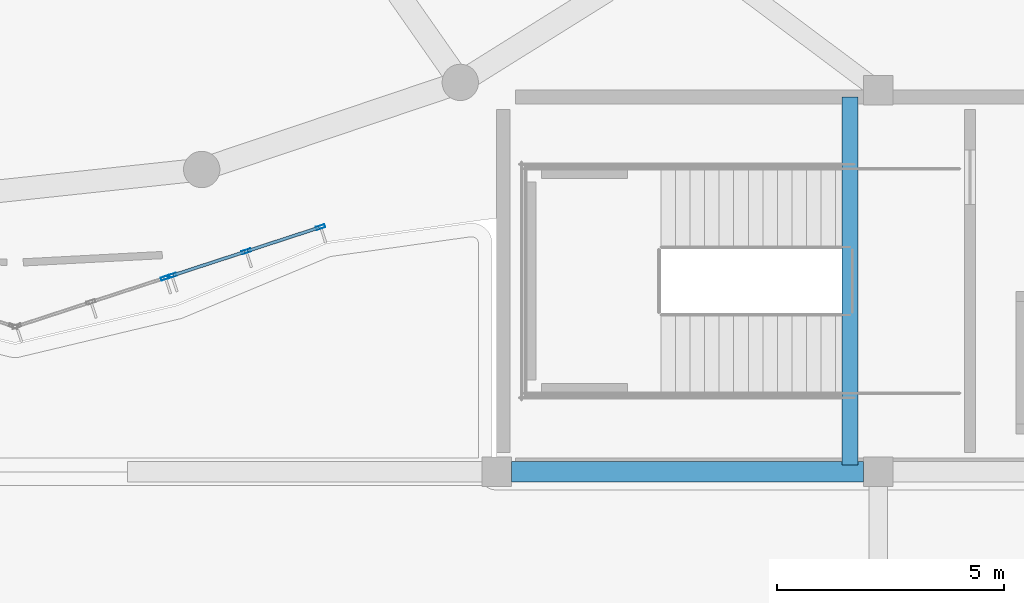
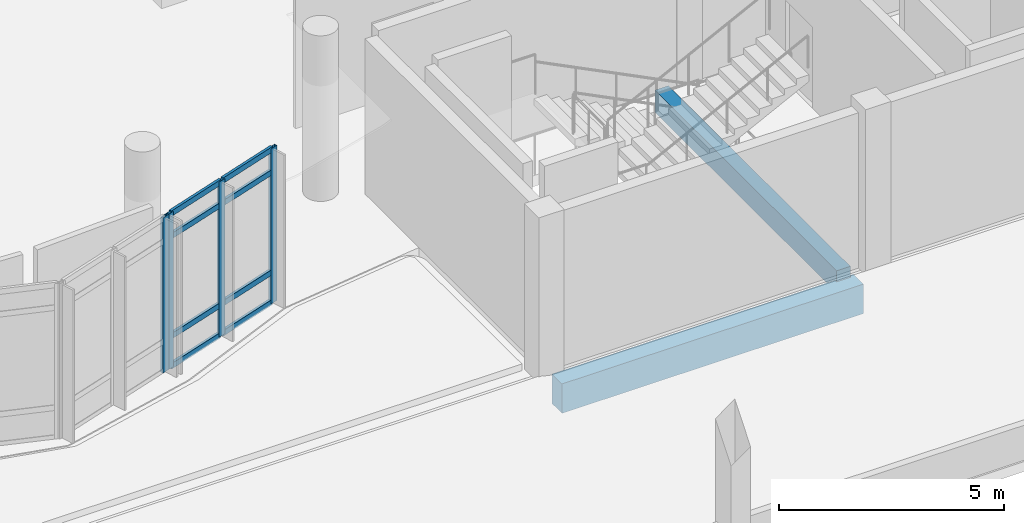
# One storey, part 6 of 46: 12 members, 2 beams, 2 elements without a shape of their own.
"""IFC4 building model written with IfcOpenShell, lengths in metres."""

from ifc_helpers import new_model, si_unit, derived_unit, direction, frame, origin, origin_2d, place, context, subcontext, project, spatial, rectangle, hollow_rectangle, extrude, material, layer, layer_set, material_profile, profile_set, type_object, element, aggregate, save


model = new_model("IFC4")

# Units and contexts
model_context = context("Model", 3, precision=1e-05, world=origin(), true_north=direction((0.0, 1.0)))
body_context = subcontext(model_context, "Body", "Model", "MODEL_VIEW")
ifc_project = project(units=[si_unit("LENGTHUNIT", "METRE"), si_unit("AREAUNIT", "SQUARE_METRE"), si_unit("VOLUMEUNIT", "CUBIC_METRE"), si_unit("PLANEANGLEUNIT", "RADIAN"), si_unit("MASSUNIT", "GRAM", prefix="KILO"), derived_unit("THERMALTRANSMITTANCEUNIT", [(si_unit("POWERUNIT", "WATT"), 1), (si_unit("LENGTHUNIT", "METRE"), -2), (si_unit("THERMODYNAMICTEMPERATUREUNIT", "KELVIN"), -1)])], contexts=[model_context])

# Site, building, storey
site_placement = place(None, origin())
site = spatial("IfcSite", under=ifc_project, at=site_placement, CompositionType="ELEMENT")
building_placement = place(site_placement, origin())
building = spatial("IfcBuilding", under=site, at=building_placement, Name="Elbkamm Science Centre", CompositionType="ELEMENT")
storey_placement = place(building_placement, frame((0.0, 0.0, 9.89990234375)))
storey = spatial("IfcBuildingStorey", under=building, at=storey_placement, Name="L02", CompositionType="ELEMENT", Elevation=9.89990234375)

# Beams
ifc_material_1 = material(Name="Concrete C40/50", Category="concrete")
ifc_material_profile_1 = material_profile(ifc_material_1, rectangle(XDim=0.35009765625, YDim=0.60009765625, at=origin_2d()), Name="RC 350x600")
ifc_profile_set_1 = profile_set([ifc_material_profile_1], Name="Concrete C40/50")
beam_type_1 = type_object("IfcBeamType", Name="BM-RC-350x600", PredefinedType="BEAM", material=ifc_profile_set_1)
beam_1_placement = place(storey_placement, frame((83.3798828125, 42.14990234375, -0.2998046875), z_axis=(0.0, 1.0, 0.0), x_axis=(-1.0, 0.0, 0.0)))
element("IfcBeam", 1, at=beam_1_placement, inside=storey, type_object=beam_type_1, Name="L02 ST-C2 Landing Trimmer Beam", PredefinedType="BEAM", context=body_context, shape_type="SweptSolid", body=[
    extrude(rectangle(XDim=0.35009765625, YDim=0.60009765625, at=origin_2d()), origin(), (0.0, 0.0, 1.0), 8.10009765625),
])
ifc_material_profile_2 = material_profile(ifc_material_1, rectangle(XDim=0.449951171875, YDim=0.800048828125, at=origin_2d()), Name="RC 450x800")
ifc_profile_set_2 = profile_set([ifc_material_profile_2], Name="Concrete C40/50")
beam_type_2 = type_object("IfcBeamType", Name="BM-RC-450x800", PredefinedType="BEAM", material=ifc_profile_set_2)
beam_2_placement = place(storey_placement, frame((75.925048828125, 42.0, -0.699951171875), z_axis=(1.0, 0.0, 0.0), x_axis=(0.0, 1.0, 0.0)))
element("IfcBeam", 2, at=beam_2_placement, inside=storey, type_object=beam_type_2, Name="L02 Primary X-Girder 011", PredefinedType="BEAM", context=body_context, shape_type="SweptSolid", body=[
    extrude(rectangle(XDim=0.449951171875, YDim=0.800048828125, at=origin_2d()), origin(), (0.0, 0.0, 1.0), 7.75),
])

# Curtain wall, member
ifc_material_2 = material(Name="Powder-coated aluminium and triple low-E glazing", Category="aluminium")
ifc_layer = layer(ifc_material_2, 0.159912109375)
ifc_layer_set = layer_set([ifc_layer], Name="Powder-coated aluminium and triple low-E glazing")
curtain_wall_type = type_object("IfcCurtainWallType", Name="CW-UNIT-3520x4220", PredefinedType="USERDEFINED", material=ifc_layer_set)
curtain_wall_1_placement = place(storey_placement, origin())
curtain_wall_1 = element("IfcCurtainWall", 3, at=curtain_wall_1_placement, inside=storey, type_object=curtain_wall_type, Name="L02 Unitised Curtain Wall 042", ObjectType="UNITISED CURTAIN WALL", PredefinedType="USERDEFINED")
ifc_material_3 = material(Name="Powder-coated aluminium EN AW-6060", Category="aluminium")
ifc_material_profile_3 = material_profile(ifc_material_3, hollow_rectangle(XDim=0.070068359375, YDim=0.199951171875, WallThickness=0.00439453125, at=origin_2d()), Name="ALU M70x200")
ifc_profile_set_3 = profile_set([ifc_material_profile_3], Name="Powder-coated aluminium EN AW-6060")
member_type_1 = type_object("IfcMemberType", Name="CW-MUL-70x200", PredefinedType="MULLION", material=ifc_profile_set_3)
member_1_placement = place(storey_placement, frame((68.308349609375, 46.27001953125, 0.0), z_axis=(0.0, 0.0, 1.0), x_axis=(-0.31036715573, 0.950616762236, 0.0)))
member_1 = element("IfcMember", 4, at=member_1_placement, type_object=member_type_1, Name="CW-018 mullion 3", PredefinedType="MULLION", context=body_context, shape_type="SweptSolid", body=[
    extrude(hollow_rectangle(XDim=0.070068359375, YDim=0.199951171875, WallThickness=0.00439453125, at=origin_2d()), origin(), (0.0, 0.0, 1.0), 4.22021484375),
])
aggregate(curtain_wall_1, [member_1])

# Curtain wall, members
curtain_wall_2_placement = place(storey_placement, origin())
curtain_wall_2 = element("IfcCurtainWall", 5, at=curtain_wall_2_placement, inside=storey, type_object=curtain_wall_type, Name="L02 Unitised Curtain Wall 043", ObjectType="UNITISED CURTAIN WALL", PredefinedType="USERDEFINED")
member_2_placement = place(storey_placement, frame((68.450927734375, 46.316650390625, 0.0), z_axis=(0.0, 0.0, 1.0), x_axis=(-0.31036715573, 0.950616762236, 0.0)))
member_2 = element("IfcMember", 6, at=member_2_placement, type_object=member_type_1, Name="CW-018 mullion 1", PredefinedType="MULLION", context=body_context, shape_type="SweptSolid", body=[
    extrude(hollow_rectangle(XDim=0.070068359375, YDim=0.199951171875, WallThickness=0.00439453125, at=origin_2d()), origin(), (0.0, 0.0, 1.0), 4.22021484375),
])
member_3_placement = place(storey_placement, frame((70.08837890625, 46.851318359375, 0.0), z_axis=(0.0, 0.0, 1.0), x_axis=(-0.31036715573, 0.950616762236, 0.0)))
member_3 = element("IfcMember", 7, at=member_3_placement, type_object=member_type_1, Name="CW-018 mullion 2", PredefinedType="MULLION", context=body_context, shape_type="SweptSolid", body=[
    extrude(hollow_rectangle(XDim=0.070068359375, YDim=0.199951171875, WallThickness=0.00439453125, at=origin_2d()), origin(), (0.0, 0.0, 1.0), 4.22021484375),
])
member_4_placement = place(storey_placement, frame((71.72607421875, 47.385986328125, 0.0), z_axis=(0.0, 0.0, 1.0), x_axis=(-0.31036715573, 0.950616762236, 0.0)))
member_4 = element("IfcMember", 8, at=member_4_placement, type_object=member_type_1, Name="CW-018 mullion 3", PredefinedType="MULLION", context=body_context, shape_type="SweptSolid", body=[
    extrude(hollow_rectangle(XDim=0.070068359375, YDim=0.199951171875, WallThickness=0.00439453125, at=origin_2d()), origin(), (0.0, 0.0, 1.0), 4.22021484375),
])
ifc_material_profile_4 = material_profile(ifc_material_3, hollow_rectangle(XDim=0.070068359375, YDim=0.14990234375, WallThickness=0.00390625, at=origin_2d()), Name="ALU T70x150")
ifc_profile_set_4 = profile_set([ifc_material_profile_4], Name="Powder-coated aluminium EN AW-6060")
member_type_2 = type_object("IfcMemberType", Name="CW-TRN-70x150", PredefinedType="USERDEFINED", material=ifc_profile_set_4)
member_5_placement = place(storey_placement, frame((68.484130859375, 46.32763671875, 0.03515625), z_axis=(0.950658819638, 0.310238309439, 0.0), x_axis=(-0.310238309439, 0.950658819638, 0.0)))
member_5 = element("IfcMember", 9, at=member_5_placement, type_object=member_type_2, Name="CW-018 transom 1.1", ObjectType="TRANSOM", PredefinedType="USERDEFINED", context=body_context, shape_type="SweptSolid", body=[
    extrude(hollow_rectangle(XDim=0.070068359375, YDim=0.14990234375, WallThickness=0.00390625, at=origin_2d()), origin(), (0.0, 0.0, 1.0), 1.652587890625),
])
member_6_placement = place(storey_placement, frame((68.484130859375, 46.32763671875, 0.85009765625), z_axis=(0.950658819638, 0.310238309439, 0.0), x_axis=(-0.310238309439, 0.950658819638, 0.0)))
member_6 = element("IfcMember", 10, at=member_6_placement, type_object=member_type_2, Name="CW-018 transom 1.2", ObjectType="TRANSOM", PredefinedType="USERDEFINED", context=body_context, shape_type="SweptSolid", body=[
    extrude(hollow_rectangle(XDim=0.070068359375, YDim=0.14990234375, WallThickness=0.00390625, at=origin_2d()), origin(), (0.0, 0.0, 1.0), 1.652587890625),
])
member_7_placement = place(storey_placement, frame((68.484130859375, 46.32763671875, 3.570068359375), z_axis=(0.950658819638, 0.310238309439, 0.0), x_axis=(-0.310238309439, 0.950658819638, 0.0)))
member_7 = element("IfcMember", 11, at=member_7_placement, type_object=member_type_2, Name="CW-018 transom 1.3", ObjectType="TRANSOM", PredefinedType="USERDEFINED", context=body_context, shape_type="SweptSolid", body=[
    extrude(hollow_rectangle(XDim=0.070068359375, YDim=0.14990234375, WallThickness=0.00390625, at=origin_2d()), origin(), (0.0, 0.0, 1.0), 1.652587890625),
])
member_8_placement = place(storey_placement, frame((68.484130859375, 46.32763671875, 4.18505859375), z_axis=(0.950658819638, 0.310238309439, 0.0), x_axis=(-0.310238309439, 0.950658819638, 0.0)))
member_8 = element("IfcMember", 12, at=member_8_placement, type_object=member_type_2, Name="CW-018 transom 1.4", ObjectType="TRANSOM", PredefinedType="USERDEFINED", context=body_context, shape_type="SweptSolid", body=[
    extrude(hollow_rectangle(XDim=0.070068359375, YDim=0.14990234375, WallThickness=0.00390625, at=origin_2d()), origin(), (0.0, 0.0, 1.0), 1.652587890625),
])
member_9_placement = place(storey_placement, frame((70.121826171875, 46.862060546875, 0.03515625), z_axis=(0.950615241391, 0.310371813856, 0.0), x_axis=(-0.310371813856, 0.950615241391, 0.0)))
member_9 = element("IfcMember", 13, at=member_9_placement, type_object=member_type_2, Name="CW-018 transom 2.1", ObjectType="TRANSOM", PredefinedType="USERDEFINED", context=body_context, shape_type="SweptSolid", body=[
    extrude(hollow_rectangle(XDim=0.070068359375, YDim=0.14990234375, WallThickness=0.00390625, at=origin_2d()), origin(), (0.0, 0.0, 1.0), 1.652587890625),
])
member_10_placement = place(storey_placement, frame((70.121826171875, 46.862060546875, 0.85009765625), z_axis=(0.950615241391, 0.310371813856, 0.0), x_axis=(-0.310371813856, 0.950615241391, 0.0)))
member_10 = element("IfcMember", 14, at=member_10_placement, type_object=member_type_2, Name="CW-018 transom 2.2", ObjectType="TRANSOM", PredefinedType="USERDEFINED", context=body_context, shape_type="SweptSolid", body=[
    extrude(hollow_rectangle(XDim=0.070068359375, YDim=0.14990234375, WallThickness=0.00390625, at=origin_2d()), origin(), (0.0, 0.0, 1.0), 1.652587890625),
])
member_11_placement = place(storey_placement, frame((70.121826171875, 46.862060546875, 3.570068359375), z_axis=(0.950615241391, 0.310371813856, 0.0), x_axis=(-0.310371813856, 0.950615241391, 0.0)))
member_11 = element("IfcMember", 15, at=member_11_placement, type_object=member_type_2, Name="CW-018 transom 2.3", ObjectType="TRANSOM", PredefinedType="USERDEFINED", context=body_context, shape_type="SweptSolid", body=[
    extrude(hollow_rectangle(XDim=0.070068359375, YDim=0.14990234375, WallThickness=0.00390625, at=origin_2d()), origin(), (0.0, 0.0, 1.0), 1.652587890625),
])
member_12_placement = place(storey_placement, frame((70.121826171875, 46.862060546875, 4.18505859375), z_axis=(0.950615241391, 0.310371813856, 0.0), x_axis=(-0.310371813856, 0.950615241391, 0.0)))
member_12 = element("IfcMember", 16, at=member_12_placement, type_object=member_type_2, Name="CW-018 transom 2.4", ObjectType="TRANSOM", PredefinedType="USERDEFINED", context=body_context, shape_type="SweptSolid", body=[
    extrude(hollow_rectangle(XDim=0.070068359375, YDim=0.14990234375, WallThickness=0.00390625, at=origin_2d()), origin(), (0.0, 0.0, 1.0), 1.652587890625),
])
aggregate(curtain_wall_2, [member_2, member_3, member_4, member_5, member_6, member_7, member_8, member_9, member_10, member_11, member_12])

save(model, "model.ifc")
